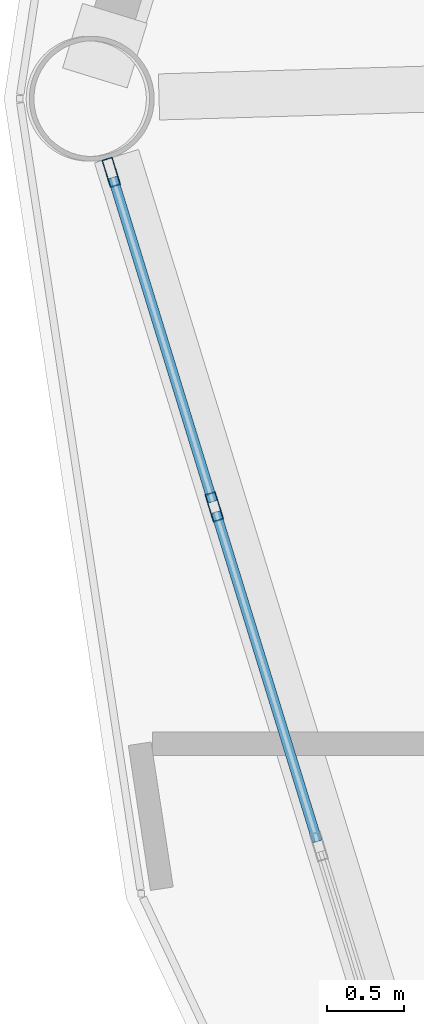
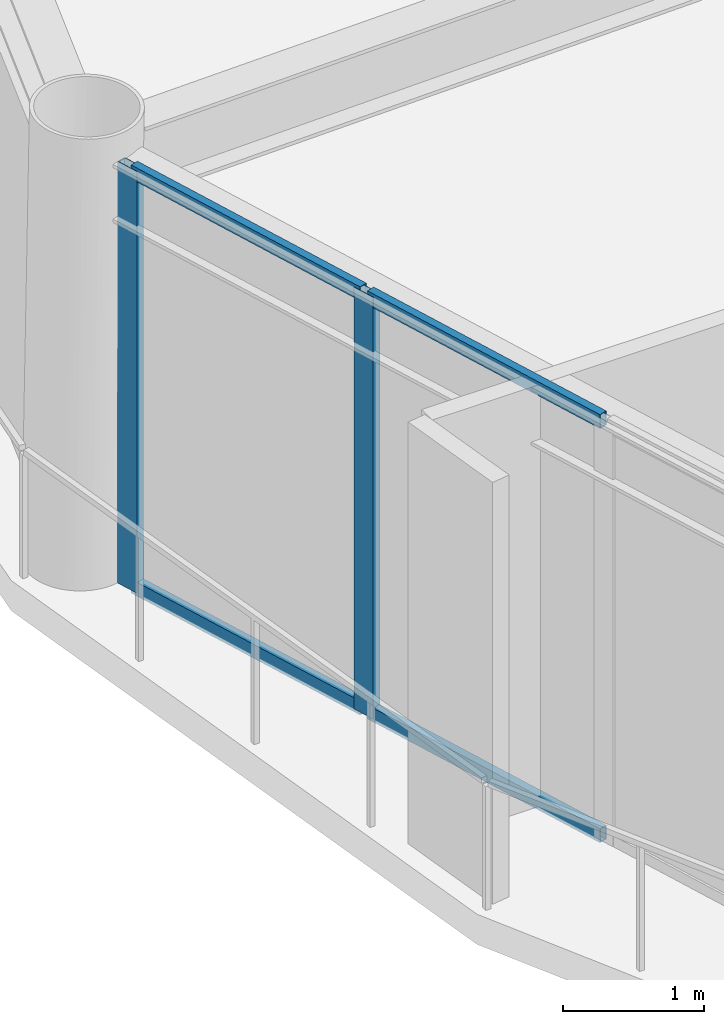
# One storey, part 7 of 23: 6 members, 1 element without a shape of its own.
"""IFC4 building model written with IfcOpenShell, lengths in metres."""

from ifc_helpers import new_model, si_unit, direction, frame, origin, origin_2d, place, context, subcontext, project, spatial, hollow_rectangle, extrude, material, layer, layer_set, material_profile, profile_set, type_object, element, aggregate, save


model = new_model("IFC4")

# Units and contexts
model_context = context("Model", 3, precision=1e-05, world=origin(), true_north=direction((0.0, 1.0)))
body_context = subcontext(model_context, "Body", "Model", "MODEL_VIEW")
ifc_project = project(units=[si_unit("LENGTHUNIT", "METRE"), si_unit("AREAUNIT", "SQUARE_METRE"), si_unit("VOLUMEUNIT", "CUBIC_METRE"), si_unit("PLANEANGLEUNIT", "RADIAN"), si_unit("MASSUNIT", "GRAM", prefix="KILO")], contexts=[model_context])

# Site, building, storey
site_placement = place(None, origin())
site = spatial("IfcSite", under=ifc_project, at=site_placement, CompositionType="ELEMENT")
building_placement = place(site_placement, origin())
building = spatial("IfcBuilding", under=site, at=building_placement, Name="Varnakorn Sky Granary", CompositionType="ELEMENT")
storey_placement = place(building_placement, frame((0.0, 0.0, 107.10009765625)))
storey = spatial("IfcBuildingStorey", under=building, at=storey_placement, Name="L26", CompositionType="ELEMENT", Elevation=107.10009765625)

# Curtain wall, members
ifc_material = material(Name="Anodised Bronze Aluminium Alloy 6063-T6", Category="aluminium")
ifc_layer = layer(ifc_material, 0.179931640625, Name="Anodised Bronze Aluminium Alloy 6063-T6")
ifc_layer_set = layer_set([ifc_layer], Name="Anodised Bronze Aluminium Alloy 6063-T6")
curtain_wall_type = type_object("IfcCurtainWallType", Name="CW-FRM-2", PredefinedType="USERDEFINED", material=ifc_layer_set)
curtain_wall_placement = place(storey_placement, origin())
curtain_wall = element("IfcCurtainWall", 1, at=curtain_wall_placement, inside=storey, type_object=curtain_wall_type, Name="Unitised Curtain Wall CW4 CW-L26-B07", ObjectType="CURTAIN WALL", PredefinedType="USERDEFINED")
ifc_material_profile_1 = material_profile(ifc_material, hollow_rectangle(XDim=0.070068359375, YDim=0.18505859375, WallThickness=0.00390625, at=origin_2d()), Name="ALU MULL 70x185")
ifc_profile_set_1 = profile_set([ifc_material_profile_1], Name="Anodised Bronze Aluminium Alloy 6063-T6")
member_type_1 = type_object("IfcMemberType", Name="CW-FRM-2-MULL", PredefinedType="MULLION", material=ifc_profile_set_1)
member_1_placement = place(storey_placement, frame((-22.198486328125, -2.657470703125, 0.0), z_axis=(0.0, 0.0, 1.0), x_axis=(-0.955691611808, -0.294369738798, 0.0)))
member_1 = element("IfcMember", 2, at=member_1_placement, type_object=member_type_1, Name="CW4 mullion 4", PredefinedType="MULLION", context=body_context, shape_type="SweptSolid", body=[
    extrude(hollow_rectangle(XDim=0.070068359375, YDim=0.18505859375, WallThickness=0.00390625, at=origin_2d()), origin(), (0.0, 0.0, 1.0), 3.639892578125),
])
member_2_placement = place(storey_placement, frame((-22.869384765625, -0.479248046875, 0.0), z_axis=(0.0, 0.0, 1.0), x_axis=(-0.955691611808, -0.294369738798, 0.0)))
member_2 = element("IfcMember", 3, at=member_2_placement, type_object=member_type_1, Name="CW4 mullion 5", PredefinedType="MULLION", context=body_context, shape_type="SweptSolid", body=[
    extrude(hollow_rectangle(XDim=0.070068359375, YDim=0.18505859375, WallThickness=0.00390625, at=origin_2d()), origin(), (0.0, 0.0, 1.0), 3.639892578125),
])
ifc_material_profile_2 = material_profile(ifc_material, hollow_rectangle(XDim=0.06494140625, YDim=0.1201171875, WallThickness=0.00341796875, at=origin_2d()), Name="ALU TRAN 65x120")
ifc_profile_set_2 = profile_set([ifc_material_profile_2], Name="Anodised Bronze Aluminium Alloy 6063-T6")
member_type_2 = type_object("IfcMemberType", Name="CW-FRM-2-TRAN", PredefinedType="USERDEFINED", material=ifc_profile_set_2)
member_3_placement = place(storey_placement, frame((-21.527587890625, -4.835693359375, 0.032470703125), z_axis=(-0.294376324666, 0.95568958322, 0.0), x_axis=(-0.95568958322, -0.294376324666, 0.0)))
member_3 = element("IfcMember", 4, at=member_3_placement, type_object=member_type_2, Name="CW4 transom 3.1", ObjectType="TRANSOM", PredefinedType="USERDEFINED", context=body_context, shape_type="SweptSolid", body=[
    extrude(hollow_rectangle(XDim=0.06494140625, YDim=0.1201171875, WallThickness=0.00341796875, at=origin_2d()), origin(), (0.0, 0.0, 1.0), 2.244140625),
])
member_4_placement = place(storey_placement, frame((-21.527587890625, -4.835693359375, 3.607421875), z_axis=(-0.294376324666, 0.95568958322, 0.0), x_axis=(-0.95568958322, -0.294376324666, 0.0)))
member_4 = element("IfcMember", 5, at=member_4_placement, type_object=member_type_2, Name="CW4 transom 3.2", ObjectType="TRANSOM", PredefinedType="USERDEFINED", context=body_context, shape_type="SweptSolid", body=[
    extrude(hollow_rectangle(XDim=0.06494140625, YDim=0.1201171875, WallThickness=0.00341796875, at=origin_2d()), origin(), (0.0, 0.0, 1.0), 2.244140625),
])
member_5_placement = place(storey_placement, frame((-22.208740234375, -2.6240234375, 0.032470703125), z_axis=(-0.294396453703, 0.955683382741, 0.0), x_axis=(-0.955683382741, -0.294396453703, 0.0)))
member_5 = element("IfcMember", 6, at=member_5_placement, type_object=member_type_2, Name="CW4 transom 4.1", ObjectType="TRANSOM", PredefinedType="USERDEFINED", context=body_context, shape_type="SweptSolid", body=[
    extrude(hollow_rectangle(XDim=0.06494140625, YDim=0.1201171875, WallThickness=0.00341796875, at=origin_2d()), origin(), (0.0, 0.0, 1.0), 2.209228515625),
])
member_6_placement = place(storey_placement, frame((-22.208740234375, -2.6240234375, 3.607421875), z_axis=(-0.294396453703, 0.955683382741, 0.0), x_axis=(-0.955683382741, -0.294396453703, 0.0)))
member_6 = element("IfcMember", 7, at=member_6_placement, type_object=member_type_2, Name="CW4 transom 4.2", ObjectType="TRANSOM", PredefinedType="USERDEFINED", context=body_context, shape_type="SweptSolid", body=[
    extrude(hollow_rectangle(XDim=0.06494140625, YDim=0.1201171875, WallThickness=0.00341796875, at=origin_2d()), origin(), (0.0, 0.0, 1.0), 2.209228515625),
])
aggregate(curtain_wall, [member_1, member_2, member_3, member_4, member_5, member_6])

save(model, "model.ifc")
